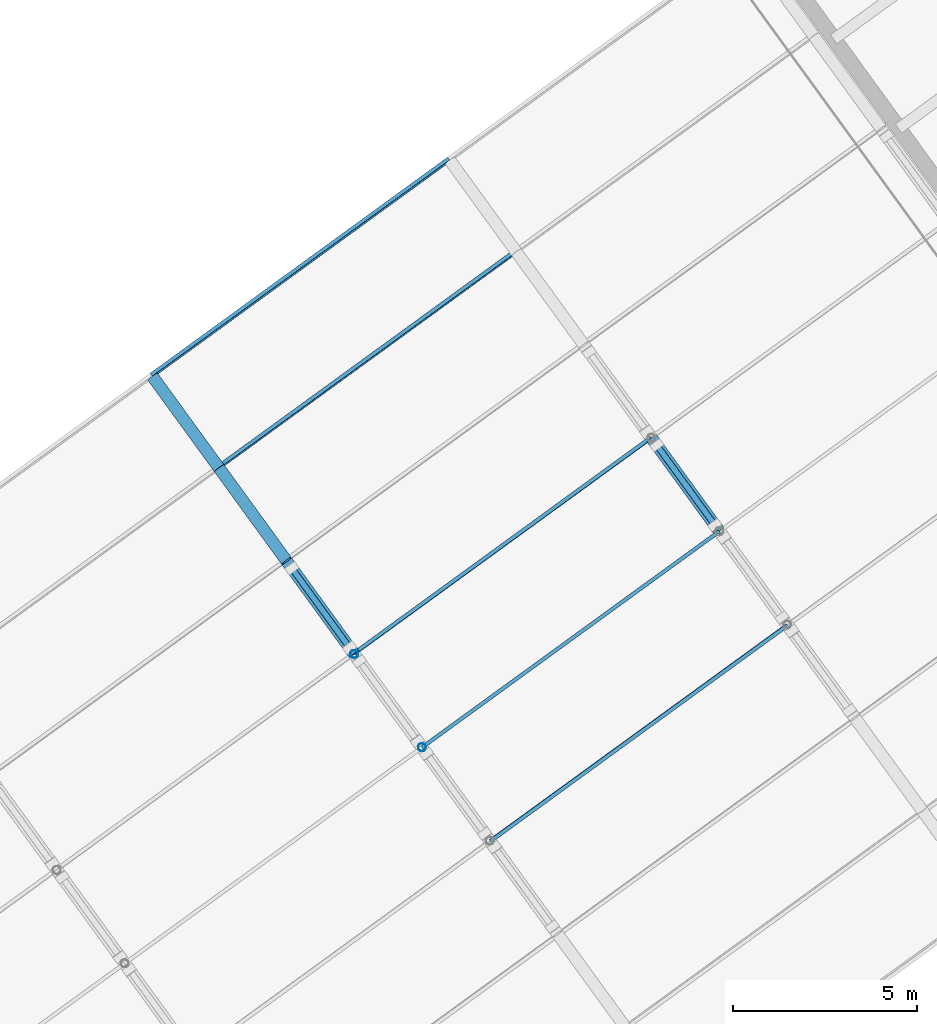
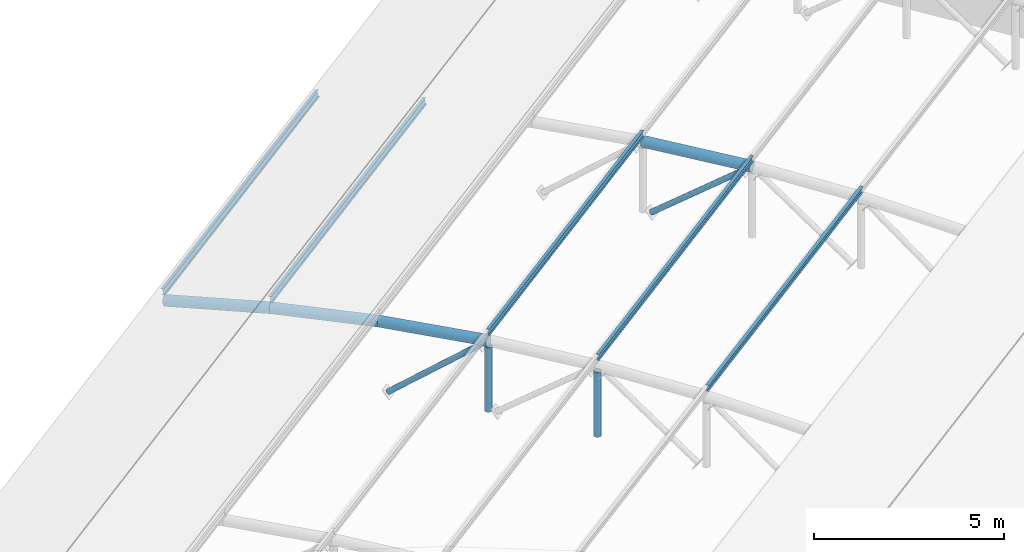
# One storey, part 19 of 41: 8 members, 5 beams.
"""IFC4 building model written with IfcOpenShell, lengths in metres."""

import ifcopenshell
import ifcopenshell.guid

model = None  # the IFC model being written
_history = None  # IfcOwnerHistory: only IFC2X3 demands one
_inside = {}  # id of a spatial element -> (the spatial element, [elements in it])
_under = {}  # id of a project, library or spatial element -> (it, [spatial elements below it])
_declared = {}  # id of a project -> (the project, [libraries it declares])
_typed = {}  # id of a type object -> (the type object, [elements of that type])
_made_of = {}  # id of a material, layer set ... -> (it, [elements and type objects made of it])


def new_model(schema):
    """Start an empty IFC model of exactly this schema.

    Asked for "IFC4X3", IfcOpenShell would pick the latest addendum, in which some entities
    have other attributes; the version numbers below select the first issue.
    IFC2X3 requires an IfcOwnerHistory on every rooted entity: one is made here for all.
    """
    global model, _history
    if schema == "IFC4X3":
        model = ifcopenshell.file(schema_version=(4, 3, 0, 0))
    else:
        model = ifcopenshell.file(schema=schema)
    _inside.clear()
    _under.clear()
    _declared.clear()
    _typed.clear()
    _made_of.clear()
    _history = None
    if model.schema == "IFC2X3":
        org = make("IfcOrganization", Name="unknown")
        user = make(
            "IfcPersonAndOrganization",
            ThePerson=make("IfcPerson", FamilyName="unknown"),
            TheOrganization=org,
        )
        app = make(
            "IfcApplication",
            ApplicationDeveloper=org,
            Version="unknown",
            ApplicationFullName="unknown",
            ApplicationIdentifier="unknown",
        )
        _history = make(
            "IfcOwnerHistory",
            OwningUser=user,
            OwningApplication=app,
            ChangeAction="ADDED",
            CreationDate=0,
        )
    return model


def make(cls, **values):
    """One entity of the class cls with the attributes given. An attribute that is None is left unset."""
    return model.create_entity(
        cls, **{name: value for name, value in values.items() if value is not None}
    )


def rooted(cls, **values):
    """An entity with a GlobalId (a new one), such as an element, a storey or a relation."""
    return make(cls, GlobalId=ifcopenshell.guid.new(), OwnerHistory=_history, **values)


def si_unit(unit_type, name, prefix=None):
    """IfcSIUnit, for example si_unit("LENGTHUNIT", "METRE", prefix="MILLI")."""
    return make("IfcSIUnit", UnitType=unit_type, Prefix=prefix, Name=name)


def assignment(units):
    """IfcUnitAssignment: the units of a project."""
    return None if units is None else make("IfcUnitAssignment", Units=units)


def point(xyz):
    """IfcCartesianPoint."""
    return None if xyz is None else make("IfcCartesianPoint", Coordinates=xyz)


def direction(xyz):
    """IfcDirection."""
    return None if xyz is None else make("IfcDirection", DirectionRatios=xyz)


def frame(location, z_axis=None, x_axis=None):
    """IfcAxis2Placement3D, a coordinate frame: its origin and axes. An axis left out is left unset."""
    return make(
        "IfcAxis2Placement3D",
        Location=point(location),
        Axis=direction(z_axis),
        RefDirection=direction(x_axis),
    )


def frame_2d(location, x_axis=None):
    """IfcAxis2Placement2D, a coordinate frame in the plane: its origin and x axis."""
    return make(
        "IfcAxis2Placement2D", Location=point(location), RefDirection=direction(x_axis)
    )


def origin():
    """The frame at (0, 0, 0) with its axes left unset."""
    return frame((0.0, 0.0, 0.0))


def origin_2d():
    """The frame at (0, 0) in the plane with its x axis left unset."""
    return frame_2d((0.0, 0.0))


def place(relative_to, where):
    """IfcLocalPlacement: puts the frame where relative to a parent placement (None: the world)."""
    return make(
        "IfcLocalPlacement", PlacementRelTo=relative_to, RelativePlacement=where
    )


def context(
    kind, dimensions, precision=None, world=None, true_north=None, identifier=None
):
    """IfcGeometricRepresentationContext, for example the 3D "Model" context."""
    return make(
        "IfcGeometricRepresentationContext",
        ContextIdentifier=identifier,
        ContextType=kind,
        CoordinateSpaceDimension=dimensions,
        Precision=precision,
        WorldCoordinateSystem=world,
        TrueNorth=true_north,
    )


def subcontext(parent, identifier, kind, view, scale=None):
    """IfcGeometricRepresentationSubContext, for example "Body" below "Model"."""
    return make(
        "IfcGeometricRepresentationSubContext",
        ContextIdentifier=identifier,
        ContextType=kind,
        ParentContext=parent,
        TargetScale=scale,
        TargetView=view,
    )


def project(units=None, contexts=None):
    """IfcProject with its units and contexts."""
    return rooted(
        "IfcProject",
        Name="project",
        RepresentationContexts=contexts,
        UnitsInContext=assignment(units),
    )


def spatial(cls, under=None, at=None, **own):
    """A site, building, storey or space (cls), placed at a placement, below another one or the project."""
    s = rooted(cls, ObjectPlacement=at, **own)
    if under is not None:
        _under.setdefault(under.id(), (under, []))[1].append(s)
    return s


def profile(cls, at=None, kind="AREA", **sizes):
    """A parametric profile (cls). Its sizes go by their IFC names, for example OverallWidth=200.0."""
    return make(cls, ProfileType=kind, Position=at, **sizes)


def hollow_circle(**sizes):
    """IfcCircleHollowProfileDef."""
    return profile("IfcCircleHollowProfileDef", **sizes)


def i_section(**sizes):
    """IfcIShapeProfileDef."""
    return profile("IfcIShapeProfileDef", **sizes)


def extrude(swept, where, along, depth):
    """IfcExtrudedAreaSolid: the profile swept, set in the frame where, extruded along a direction by depth."""
    return make(
        "IfcExtrudedAreaSolid",
        SweptArea=swept,
        Position=where,
        ExtrudedDirection=direction(along),
        Depth=depth,
    )


def shape(context_of_items, identifier, shape_type, items):
    """IfcShapeRepresentation: the items that make up one representation, for example the "Body"."""
    return make(
        "IfcShapeRepresentation",
        ContextOfItems=context_of_items,
        RepresentationIdentifier=identifier,
        RepresentationType=shape_type,
        Items=items,
    )


def material(Name=None, Category=None):
    """IfcMaterial."""
    return make("IfcMaterial", Name=Name, Category=Category)


def material_profile(
    of_material, cross_section, Name=None, Category=None, Priority=None
):
    """IfcMaterialProfile: a cross section and its material."""
    return make(
        "IfcMaterialProfile",
        Name=Name,
        Material=of_material,
        Profile=cross_section,
        Priority=Priority,
        Category=Category,
    )


def profile_set(profiles, Name=None, composite=None):
    """IfcMaterialProfileSet."""
    return make(
        "IfcMaterialProfileSet",
        Name=Name,
        MaterialProfiles=profiles,
        CompositeProfile=composite,
    )


def made_of(thing, what):
    """Note that an element or type object is made of a material, layer set ...; save() writes the relation."""
    if what is not None:
        _made_of.setdefault(what.id(), (what, []))[1].append(thing)
    return thing


def type_object(cls, material=None, **own):
    """A type object (cls), such as IfcWallType, which elements share."""
    return made_of(rooted(cls, **own), material)


def element(
    cls,
    number,
    at=None,
    inside=None,
    cuts=None,
    type_object=None,
    material=None,
    context=None,
    identifier="Body",
    shape_type=None,
    held_by="IfcProductDefinitionShape",
    body=None,
    shapes=None,
    **own,
):
    """One element of the class cls, such as IfcWall. Its Tag is "e" and its number.

    at: its placement. inside: the storey or other place that contains it. cuts: it is an
    opening in that element (IfcRelVoidsElement). A single representation is given by context,
    identifier, shape_type and body (its items); several are given by shapes. held_by: the class
    of the entity that holds the representations. save() writes the other relations.
    """
    e = rooted(cls, Tag="e%d" % number, ObjectPlacement=at, **own)
    if body is not None:
        shapes = [shape(context, identifier, shape_type, body)]
    if shapes is not None:
        e.Representation = make(held_by, Representations=shapes)
    if inside is not None:
        _inside.setdefault(inside.id(), (inside, []))[1].append(e)
    if cuts is not None:
        rooted(
            "IfcRelVoidsElement", RelatingBuildingElement=cuts, RelatedOpeningElement=e
        )
    if type_object is not None:
        _typed.setdefault(type_object.id(), (type_object, []))[1].append(e)
    return made_of(e, material)


def aggregate(whole, parts):
    """IfcRelAggregates: a whole, such as a stair, and the parts it consists of."""
    return rooted("IfcRelAggregates", RelatingObject=whole, RelatedObjects=parts)


def save(model, path):
    """Write the relations noted so far, then the file.

    IfcRelAggregates (storeys below a building ...), IfcRelContainedInSpatialStructure (elements
    in a storey), IfcRelDefinesByType, IfcRelAssociatesMaterial and IfcRelDeclares: one each for
    every whole, place, type object, material and project.
    """
    for whole, parts in _under.values():
        aggregate(whole, parts)
    for where, things in _inside.values():
        rooted(
            "IfcRelContainedInSpatialStructure",
            RelatedElements=things,
            RelatingStructure=where,
        )
    for kind, things in _typed.values():
        rooted("IfcRelDefinesByType", RelatedObjects=things, RelatingType=kind)
    for what, things in _made_of.values():
        rooted("IfcRelAssociatesMaterial", RelatedObjects=things, RelatingMaterial=what)
    for by, libraries in _declared.values():
        rooted("IfcRelDeclares", RelatingContext=by, RelatedDefinitions=libraries)
    model.write(path)


model = new_model("IFC4")

# Units and contexts
model_context = context("Model", 3, precision=1e-05, world=origin(), true_north=direction((0.0, 1.0)))
body_context = subcontext(model_context, "Body", "Model", "MODEL_VIEW")
ifc_project = project(units=[si_unit("LENGTHUNIT", "METRE"), si_unit("AREAUNIT", "SQUARE_METRE"), si_unit("VOLUMEUNIT", "CUBIC_METRE"), si_unit("PLANEANGLEUNIT", "RADIAN"), si_unit("MASSUNIT", "GRAM", prefix="KILO")], contexts=[model_context])

# Site, building, storey
site_placement = place(None, origin())
site = spatial("IfcSite", under=ifc_project, at=site_placement, CompositionType="ELEMENT")
building_placement = place(site_placement, origin())
building = spatial("IfcBuilding", under=site, at=building_placement, Name="Okhra Congress Centre", CompositionType="ELEMENT")
storey_placement = place(building_placement, frame((0.0, 0.0, 21.60009765625)))
storey = spatial("IfcBuildingStorey", under=building, at=storey_placement, Name="ROOF", CompositionType="ELEMENT", Elevation=21.60009765625)

# Members
ifc_material_1 = material(Name="Steel S355J2H", Category="steel")
ifc_material_profile_1 = material_profile(ifc_material_1, hollow_circle(Radius=0.084228515625, WallThickness=0.00634765625, at=origin_2d()), Name="CHS 168.3x6.3")
ifc_profile_set_1 = profile_set([ifc_material_profile_1], Name="Steel S355J2H")
member_type_1 = type_object("IfcMemberType", Name="CHS 168.3x6.3", PredefinedType="BRACE", material=ifc_profile_set_1)
member_1_placement = place(storey_placement, frame((242.760498046875, 206.336669921875, -1.07080078125), z_axis=(0.44685165687, -0.615058439697, 0.649635830685), x_axis=(0.809026036893, 0.587772806133, 0.0)))
element("IfcMember", 1, at=member_1_placement, inside=storey, type_object=member_type_1, Name="Truss 5 diagonal 11", PredefinedType="BRACE", context=body_context, shape_type="SweptSolid", body=[
    extrude(hollow_circle(Radius=0.084228515625, WallThickness=0.00634765625, at=origin_2d()), origin(), (0.0, 0.0, 1.0), 3.4951171875),
])
member_2_placement = place(storey_placement, frame((252.689697265625, 209.683349609375, -0.812255859375), z_axis=(0.460448717269, -0.633717368933, 0.621602183939), x_axis=(0.809001151091, 0.587807058084, 0.0)))
element("IfcMember", 2, at=member_2_placement, inside=storey, type_object=member_type_1, Name="Truss 6 diagonal 10", PredefinedType="BRACE", context=body_context, shape_type="SweptSolid", body=[
    extrude(hollow_circle(Radius=0.084228515625, WallThickness=0.00634765625, at=origin_2d()), origin(), (0.0, 0.0, 1.0), 3.405517578125),
])
ifc_material_profile_2 = material_profile(ifc_material_1, hollow_circle(Radius=0.109619140625, WallThickness=0.008056640625, at=origin_2d()), Name="CHS 219.1x8")
ifc_profile_set_2 = profile_set([ifc_material_profile_2], Name="Steel S355J2H")
member_type_2 = type_object("IfcMemberType", Name="CHS 219.1x8", PredefinedType="POST", material=ifc_profile_set_2)
member_3_placement = place(storey_placement, frame((246.301025390625, 201.4638671875, -0.75146484375), z_axis=(0.0, 0.0, 1.0), x_axis=(1.0, 0.0, 0.0)))
element("IfcMember", 3, at=member_3_placement, inside=storey, type_object=member_type_2, Name="Truss 5 post 9", PredefinedType="POST", context=body_context, shape_type="SweptSolid", body=[
    extrude(hollow_circle(Radius=0.109619140625, WallThickness=0.008056640625, at=origin_2d()), origin(), (0.0, 0.0, 1.0), 2.072021484375),
])
member_4_placement = place(storey_placement, frame((244.455322265625, 204.00390625, -0.842529296875), z_axis=(0.0, 0.0, 1.0), x_axis=(1.0, 0.0, 0.0)))
element("IfcMember", 4, at=member_4_placement, inside=storey, type_object=member_type_2, Name="Truss 5 post 10", PredefinedType="POST", context=body_context, shape_type="SweptSolid", body=[
    extrude(hollow_circle(Radius=0.109619140625, WallThickness=0.008056640625, at=origin_2d()), origin(), (0.0, 0.0, 1.0), 2.071533203125),
])
ifc_material_profile_3 = material_profile(ifc_material_1, hollow_circle(Radius=0.161865234375, WallThickness=0.012451171875, at=origin_2d()), Name="CHS 323.9x12.5")
ifc_profile_set_3 = profile_set([ifc_material_profile_3], Name="Steel S355J2H")
member_type_3 = type_object("IfcMemberType", Name="CHS 323.9x12.5", PredefinedType="CHORD", material=ifc_profile_set_3)
member_5_placement = place(storey_placement, frame((244.455322265625, 204.00390625, 1.39306640625), z_axis=(-0.585523302268, 0.805959262076, -0.087132831786), x_axis=(-0.809036267872, -0.587758723684, 0.0)))
element("IfcMember", 5, at=member_5_placement, inside=storey, type_object=member_type_3, Name="Truss 5 top chord 11", PredefinedType="CHORD", context=body_context, shape_type="SweptSolid", body=[
    extrude(hollow_circle(Radius=0.161865234375, WallThickness=0.012451171875, at=origin_2d()), origin(), (0.0, 0.0, 1.0), 3.140869140625),
])
for number, where, z_axis, x_axis, name in (
    (6, (242.6162109375, 206.535400390625, 1.119384765625), (-0.581594707866, 0.800460229362, -0.144951774712), (-0.809004349852, -0.587802655592, 0.0), "Truss 5 top chord 12"),
    (7, (240.789306640625, 209.0498046875, 0.6640625), (-0.575629649566, 0.792326309435, -0.202162127805), (-0.80903112876, -0.587765797488, 0.0), "Truss 5 top chord 13"),
    (8, (254.39111328125, 207.341552734375, 1.484619140625), (-0.587501206553, 0.808698247677, -0.02914578019), (-0.809041951748, -0.587750899881, 0.0), "Truss 6 top chord 10"),
):
    element("IfcMember", number, at=place(storey_placement, frame(where, z_axis=z_axis, x_axis=x_axis)), inside=storey, type_object=member_type_3, Name=name, PredefinedType="CHORD", context=body_context, shape_type="SweptSolid", body=[
        extrude(hollow_circle(Radius=0.161865234375, WallThickness=0.012451171875, at=origin_2d()), origin(), (0.0, 0.0, 1.0), 3.14111328125),
    ])

# Beams
ifc_material_2 = material(Name="Steel S355J2", Category="steel")
ifc_material_profile_4 = material_profile(ifc_material_2, i_section(OverallWidth=0.10009765625, OverallDepth=0.199951171875, WebThickness=0.005615234375, FlangeThickness=0.008544921875, FilletRadius=0.011962890625, at=origin_2d()), Name="IPE 200")
ifc_profile_set_4 = profile_set([ifc_material_profile_4], Name="Steel S355J2")
beam_type = type_object("IfcBeamType", Name="IPE 200", PredefinedType="BEAM", material=ifc_profile_set_4)
beam_1_placement = place(storey_placement, frame((248.1552734375, 198.911376953125, 1.651611328125), z_axis=(0.809018924928, 0.587782595105, 0.0), x_axis=(-0.586788159983, 0.807650192952, 0.058144828905)))
element("IfcBeam", 9, at=beam_1_placement, inside=storey, type_object=beam_type, Name="Purlin 9.53", PredefinedType="BEAM", context=body_context, shape_type="SweptSolid", body=[
    extrude(i_section(OverallWidth=0.10009765625, OverallDepth=0.199951171875, WebThickness=0.005615234375, FlangeThickness=0.008544921875, FilletRadius=0.011962890625, at=origin_2d()), origin(), (0.0, 0.0, 1.0), 10.000244140625),
])
beam_2_placement = place(storey_placement, frame((246.301025390625, 201.4638671875, 1.743408203125), z_axis=(0.809022099746, 0.587778225288, 0.0), x_axis=(-0.587778225288, 0.809022099746, 0.0)))
element("IfcBeam", 10, at=beam_2_placement, inside=storey, type_object=beam_type, Name="Purlin 10.59", PredefinedType="BEAM", context=body_context, shape_type="SweptSolid", body=[
    extrude(i_section(OverallWidth=0.10009765625, OverallDepth=0.199951171875, WebThickness=0.005615234375, FlangeThickness=0.008544921875, FilletRadius=0.011962890625, at=origin_2d()), origin(), (0.0, 0.0, 1.0), 9.999755859375),
])
beam_3_placement = place(storey_placement, frame((244.446533203125, 204.01611328125, 1.651611328125), z_axis=(0.809018924928, 0.587782595105, 0.0), x_axis=(-0.586788159983, 0.807650192952, -0.058144828905)))
element("IfcBeam", 11, at=beam_3_placement, inside=storey, type_object=beam_type, Name="Purlin 11.65", PredefinedType="BEAM", context=body_context, shape_type="SweptSolid", body=[
    extrude(i_section(OverallWidth=0.10009765625, OverallDepth=0.199951171875, WebThickness=0.005615234375, FlangeThickness=0.008544921875, FilletRadius=0.011962890625, at=origin_2d()), origin(), (0.0, 0.0, 1.0), 10.000244140625),
])
for number, where, z_axis, x_axis, name in (
    (12, (240.762939453125, 209.086181640625, 0.919189453125), (0.809010490052, 0.58779420462, 0.0), (-0.578864289886, 0.796719802872, -0.173648177667), "Purlin 13.77"),
    (13, (238.946044921875, 211.5869140625, 0.281005859375), (0.809010490052, 0.58779420462, 0.0), (-0.571950135763, 0.787203507592, -0.230615870737), "Purlin 14.83"),
):
    element("IfcBeam", number, at=place(storey_placement, frame(where, z_axis=z_axis, x_axis=x_axis)), inside=storey, type_object=beam_type, Name=name, PredefinedType="BEAM", context=body_context, shape_type="SweptSolid", body=[
        extrude(i_section(OverallWidth=0.10009765625, OverallDepth=0.199951171875, WebThickness=0.005615234375, FlangeThickness=0.008544921875, FilletRadius=0.011962890625, at=origin_2d()), origin(), (0.0, 0.0, 1.0), 10.0),
    ])

save(model, "model.ifc")
